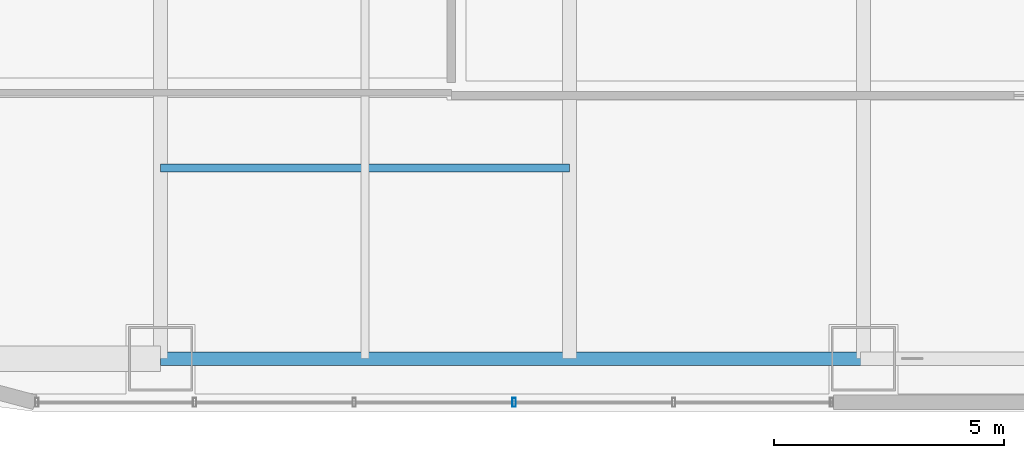
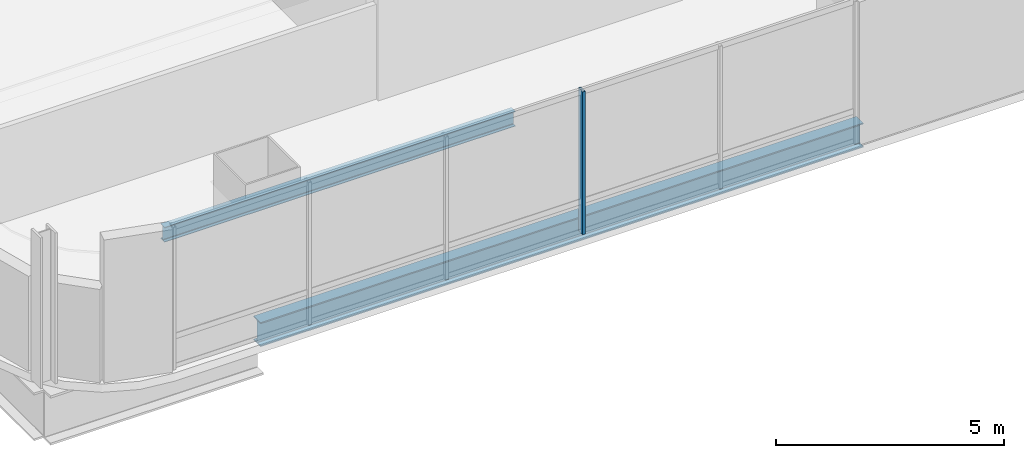
# One storey, part 4 of 38: 2 beams, 1 member, 1 element without a shape of its own.
"""IFC4 building model written with IfcOpenShell, lengths in metres."""

from ifc_helpers import new_model, si_unit, direction, frame, origin, origin_2d, place, context, subcontext, project, spatial, hollow_rectangle, i_section, extrude, material, material_profile, profile_set, type_object, element, aggregate, save


model = new_model("IFC4")

# Units and contexts
model_context = context("Model", 3, precision=1e-05, world=origin(), true_north=direction((0.0, 1.0)))
body_context = subcontext(model_context, "Body", "Model", "MODEL_VIEW")
ifc_project = project(units=[si_unit("LENGTHUNIT", "METRE"), si_unit("AREAUNIT", "SQUARE_METRE"), si_unit("VOLUMEUNIT", "CUBIC_METRE"), si_unit("PLANEANGLEUNIT", "RADIAN"), si_unit("MASSUNIT", "GRAM", prefix="KILO")], contexts=[model_context])

# Site, building, storey
site_placement = place(None, origin())
site = spatial("IfcSite", under=ifc_project, at=site_placement, CompositionType="ELEMENT")
building_placement = place(site_placement, origin())
building = spatial("IfcBuilding", under=site, at=building_placement, Name="Punatoya Terracotta Tower", CompositionType="ELEMENT")
storey_placement = place(building_placement, frame((0.0, 0.0, 156.0)))
storey = spatial("IfcBuildingStorey", under=building, at=storey_placement, Name="L36", CompositionType="ELEMENT", Elevation=156.0)

# Beams
ifc_material_1 = material(Name="Steel S355", Category="steel")
ifc_material_profile_1 = material_profile(ifc_material_1, i_section(OverallWidth=0.300048828125, OverallDepth=0.64990234375, WebThickness=0.01611328125, FlangeThickness=0.031005859375, FilletRadius=0.01806640625, at=origin_2d()))
ifc_profile_set_1 = profile_set([ifc_material_profile_1], Name="Steel S355")
beam_type_1 = type_object("IfcBeamType", Name="BM-PRI-650", PredefinedType="BEAM", material=ifc_profile_set_1)
beam_1_placement = place(storey_placement, frame((-19.10009765625, -17.5, -0.544921875), z_axis=(1.0, 0.0, 0.0), x_axis=(0.0, 1.0, 0.0)))
element("IfcBeam", 1, at=beam_1_placement, inside=storey, type_object=beam_type_1, Name="BM-L36-RG-S1", PredefinedType="BEAM", context=body_context, shape_type="SweptSolid", body=[
    extrude(i_section(OverallWidth=0.300048828125, OverallDepth=0.64990234375, WebThickness=0.01611328125, FlangeThickness=0.031005859375, FilletRadius=0.01806640625, at=origin_2d()), origin(), (0.0, 0.0, 1.0), 15.300048828125),
])
ifc_material_profile_2 = material_profile(ifc_material_1, i_section(OverallWidth=0.179931640625, OverallDepth=0.39990234375, WebThickness=0.008544921875, FlangeThickness=0.013427734375, FilletRadius=0.01806640625, at=origin_2d()))
ifc_profile_set_2 = profile_set([ifc_material_profile_2], Name="Steel S355")
beam_type_2 = type_object("IfcBeamType", Name="BM-SEC-400", PredefinedType="JOIST", material=ifc_profile_set_2)
beam_2_placement = place(storey_placement, frame((-19.10009765625, -13.35009765625, -0.419921875), z_axis=(1.0, 0.0, 0.0), x_axis=(0.0, 1.0, 0.0)))
element("IfcBeam", 2, at=beam_2_placement, inside=storey, type_object=beam_type_2, Name="BM-L36-SJS-1", PredefinedType="JOIST", context=body_context, shape_type="SweptSolid", body=[
    extrude(i_section(OverallWidth=0.179931640625, OverallDepth=0.39990234375, WebThickness=0.008544921875, FlangeThickness=0.013427734375, FilletRadius=0.01806640625, at=origin_2d()), origin(), (0.0, 0.0, 1.0), 8.900146484375),
])

# Curtain wall, member
ifc_material_2 = material(Name="Aluminium 6063-T6 + Double Low-E Glass", Category="aluminium")
curtain_wall_type = type_object("IfcCurtainWallType", Name="CW-M2", PredefinedType="NOTDEFINED", material=ifc_material_2)
curtain_wall_placement = place(storey_placement, origin())
curtain_wall = element("IfcCurtainWall", 3, at=curtain_wall_placement, inside=storey, type_object=curtain_wall_type, Name="L36 Curtain Wall CW-L36-S01-1", PredefinedType="NOTDEFINED")
ifc_material_3 = material(Name="Aluminium 6063-T6", Category="aluminium")
ifc_material_profile_3 = material_profile(ifc_material_3, hollow_rectangle(XDim=0.072021484375, YDim=0.195068359375, WallThickness=0.00439453125, at=origin_2d()))
ifc_profile_set_3 = profile_set([ifc_material_profile_3], Name="Aluminium 6063-T6")
member_type = type_object("IfcMemberType", Name="CW-MUL-M2", PredefinedType="MULLION", material=ifc_profile_set_3)
member_placement = place(storey_placement, frame((-11.40478515625, -18.449951171875, 0.0), z_axis=(0.0, 0.0, 1.0), x_axis=(1.0, 0.0, 0.0)))
member = element("IfcMember", 4, at=member_placement, type_object=member_type, Name="CW-L36-S01-1 Mullion 03", PredefinedType="MULLION", context=body_context, shape_type="SweptSolid", body=[
    extrude(hollow_rectangle(XDim=0.072021484375, YDim=0.195068359375, WallThickness=0.00439453125, at=origin_2d()), origin(), (0.0, 0.0, 1.0), 3.830078125),
])
aggregate(curtain_wall, [member])

save(model, "model.ifc")
